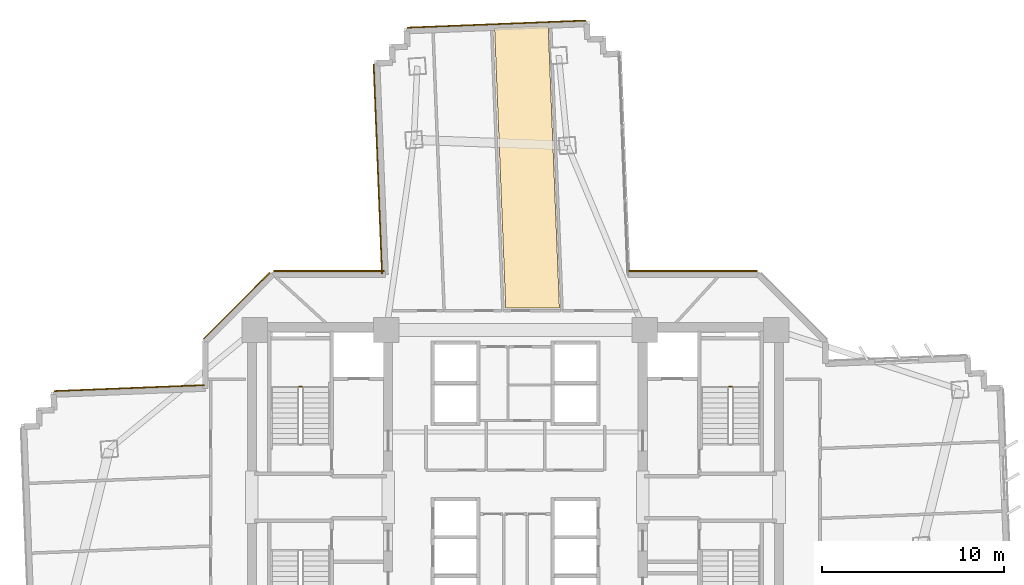
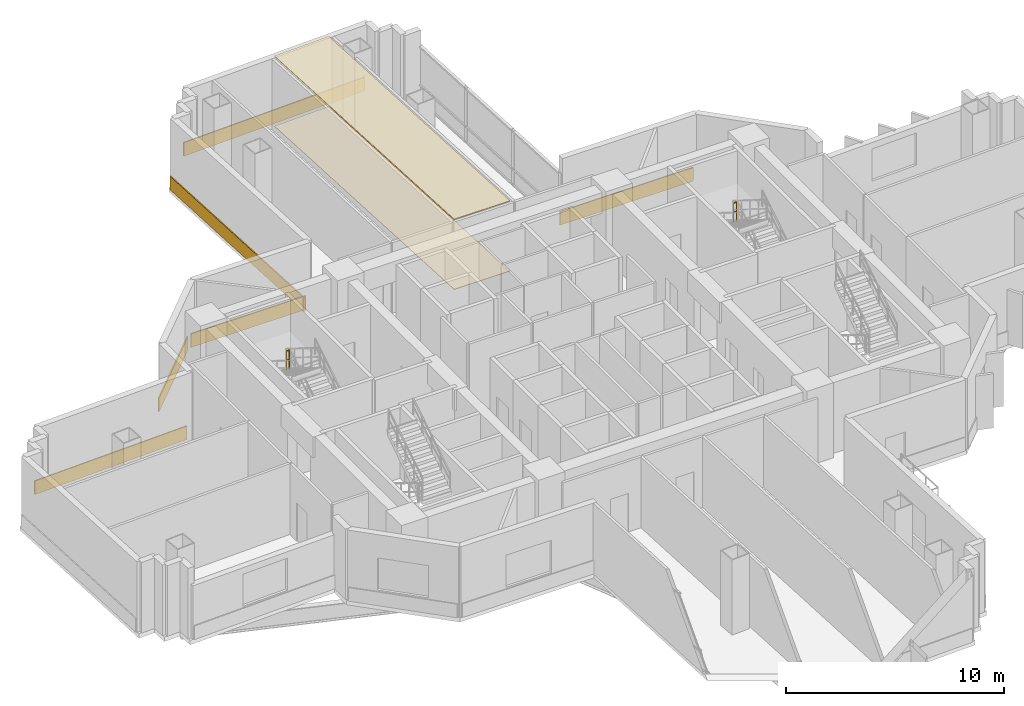
# One storey, part 15 of 16: 8 coverings, 2 railings.
"""IFC4 building model written with IfcOpenShell, lengths in metres."""

from ifc_helpers import new_model, si_unit, direction, frame, origin, origin_2d, place, context, subcontext, project, spatial, polyline, rectangle, outline, extrude, source, transform, mapped, material, layer, layer_set, type_object, element, save


model = new_model("IFC4")

# Units and contexts
model_context = context("Model", 3, precision=1e-05, world=origin(), true_north=direction((0.0, 1.0)))
body_context = subcontext(model_context, "Body", "Model", "MODEL_VIEW")
ifc_project = project(units=[si_unit("LENGTHUNIT", "METRE"), si_unit("AREAUNIT", "SQUARE_METRE"), si_unit("VOLUMEUNIT", "CUBIC_METRE"), si_unit("PLANEANGLEUNIT", "RADIAN"), si_unit("MASSUNIT", "GRAM", prefix="KILO")], contexts=[model_context])

# Site, building, storey
site_placement = place(None, origin())
site = spatial("IfcSite", under=ifc_project, at=site_placement, CompositionType="ELEMENT")
building_placement = place(site_placement, origin())
building = spatial("IfcBuilding", under=site, at=building_placement, Name="Zahravan Cultural Tower", CompositionType="ELEMENT")
storey_placement = place(building_placement, frame((0.0, 0.0, 54.300048828125)))
storey = spatial("IfcBuildingStorey", under=building, at=storey_placement, Name="L11", CompositionType="ELEMENT", Elevation=54.300048828125)

# Coverings
ifc_material_1 = material(Name="Acoustic mineral fibreboard")
ifc_layer_1 = layer(ifc_material_1, 0.0400390625)
ifc_layer_set_1 = layer_set([ifc_layer_1], Name="Acoustic mineral fibreboard")
covering_type_1 = type_object("IfcCoveringType", Name="COV-CEIL-AC20", PredefinedType="CEILING", material=ifc_layer_set_1)
covering_1_placement = place(storey_placement, frame((0.0, 0.0, 3.909912109375)))
element("IfcCovering", 1, at=covering_1_placement, inside=storey, type_object=covering_type_1, Name="L11 Acoustic Suspended Ceiling", PredefinedType="CEILING", context=body_context, shape_type="SweptSolid", body=[
    extrude(outline(polyline([(34.85205078125, 52.814697265625), (35.4658203125, 37.39990234375), (38.418212890625, 37.39990234375), (37.7998046875, 52.93212890625), (34.85205078125, 52.814697265625)])), origin(), (0.0, 0.0, 1.0), 0.0400390625),
])
ifc_material_2 = material(Name="Terrazzo flooring")
ifc_layer_2 = layer(ifc_material_2, 0.02490234375)
ifc_layer_set_2 = layer_set([ifc_layer_2], Name="Terrazzo flooring")
covering_type_2 = type_object("IfcCoveringType", Name="COV-FLR-TZ25", PredefinedType="FLOORING", material=ifc_layer_set_2)
covering_2_placement = place(storey_placement, origin())
element("IfcCovering", 2, at=covering_2_placement, inside=storey, type_object=covering_type_2, Name="L11 Polished Terrazzo Flooring", PredefinedType="FLOORING", context=body_context, shape_type="SweptSolid", body=[
    extrude(outline(polyline([(34.85205078125, 52.814697265625), (35.4658203125, 37.39990234375), (38.418212890625, 37.39990234375), (37.7998046875, 52.93212890625), (34.85205078125, 52.814697265625)])), origin(), (0.0, 0.0, 1.0), 0.02490234375),
])

# Railings
ifc_material_3 = material(Name="Steel ASTM A572 Grade 50", Category="steel")
railing_type = type_object("IfcRailingType", Name="RL-STAIR-GRD1150", PredefinedType="BALUSTRADE", material=ifc_material_3)
for number, where, name in (
    (3, (24.25, 33.080078125, 2.099853515625), "L11 ST-W1 stair guard 2"),
    (4, (47.89990234375, 33.080078125, 2.099853515625), "L11 ST-E1 stair guard 2"),
):
    element("IfcRailing", number, at=place(storey_placement, frame(where)), inside=storey, type_object=railing_type, Name=name, PredefinedType="BALUSTRADE", context=body_context, shape_type="SweptSolid", body=[
        extrude(rectangle(XDim=0.05, YDim=0.05, at=origin_2d()), frame((0.0, 0.0, 1.0751953125), z_axis=(-1.0, 0.0, 0.0), x_axis=(0.0, -1.0, 0.0)), (0.0, 0.0, 1.0), 0.14990234375),
        extrude(rectangle(XDim=0.032, YDim=0.032, at=origin_2d()), frame((0.0, 0.0, 0.572021484375), z_axis=(-1.0, 0.0, 0.0), x_axis=(0.0, -1.0, 0.0)), (0.0, 0.0, 1.0), 0.14990234375),
        extrude(rectangle(XDim=0.04, YDim=0.04, at=origin_2d()), origin(), (0.0, 0.0, 1.0), 1.10009765625),
        extrude(rectangle(XDim=0.04, YDim=0.04, at=origin_2d()), frame((-0.14990234375, 0.0, 0.0)), (0.0, 0.0, 1.0), 1.10009765625),
    ])

# Coverings
ifc_material_4 = material(Name="Terracotta ceramic cladding", Category="masonry")
ifc_layer_3 = layer(ifc_material_4, 0.06005859375)
ifc_layer_set_3 = layer_set([ifc_layer_3], Name="Terracotta ceramic cladding")
covering_type_3 = type_object("IfcCoveringType", Name="COV-CLAD-TC60", PredefinedType="CLADDING", material=ifc_layer_set_3)
shared_shape_1 = source(origin(), body_context, "Body", "SweptSolid", [
    extrude(rectangle(XDim=9.820068359375, YDim=0.06005859375, at=origin_2d()), origin(), (0.0, 0.0, 1.0), 0.760009765625),
])
covering_3_placement = place(storey_placement, frame((34.9638671875, 53.0244140625, 0.02001953125), z_axis=(0.0, 0.0, 1.0), x_axis=(0.999208342878, 0.039783005453, 0.0)))
element("IfcCovering", 5, at=covering_3_placement, inside=storey, type_object=covering_type_3, Name="L11 Terracotta Spandrel Cladding 47", PredefinedType="CLADDING", context=body_context, shape_type="MappedRepresentation", body=[
    mapped(shared_shape_1, transform((0.0, 0.0, 0.0), x_axis=(1.0, 0.0, 0.0), y_axis=(0.0, 1.0, 0.0), z_axis=(0.0, 0.0, 1.0), scale=1.0)),
])
shared_shape_2 = source(origin(), body_context, "Body", "SweptSolid", [
    extrude(rectangle(XDim=5.157958984375, YDim=0.06005859375, at=origin_2d()), origin(), (0.0, 0.0, 1.0), 0.760009765625),
])
covering_4_placement = place(storey_placement, frame((20.668212890625, 37.53173828125, 0.02001953125), z_axis=(0.0, 0.0, 1.0), x_axis=(0.707106781187, 0.707106781187, 0.0)))
element("IfcCovering", 6, at=covering_4_placement, inside=storey, type_object=covering_type_3, Name="L11 Terracotta Spandrel Cladding 40", PredefinedType="CLADDING", context=body_context, shape_type="MappedRepresentation", body=[
    mapped(shared_shape_2, transform((0.0, 0.0, 0.0), x_axis=(1.0, 0.0, 0.0), y_axis=(0.0, 1.0, 0.0), z_axis=(0.0, 0.0, 1.0), scale=1.0)),
])
shared_shape_3 = source(origin(), body_context, "Body", "SweptSolid", [
    extrude(rectangle(XDim=8.251708984375, YDim=0.06005859375, at=origin_2d()), origin(), (0.0, 0.0, 1.0), 0.760009765625),
])
covering_5_placement = place(storey_placement, frame((14.760009765625, 33.0048828125, 0.02001953125), z_axis=(0.0, 0.0, 1.0), x_axis=(0.999208342878, 0.039783005453, 0.0)))
element("IfcCovering", 7, at=covering_5_placement, inside=storey, type_object=covering_type_3, Name="L11 Terracotta Spandrel Cladding 38", PredefinedType="CLADDING", context=body_context, shape_type="MappedRepresentation", body=[
    mapped(shared_shape_3, transform((0.0, 0.0, 0.0), x_axis=(1.0, 0.0, 0.0), y_axis=(0.0, 1.0, 0.0), z_axis=(0.0, 0.0, 1.0), scale=1.0)),
])
shared_shape_4 = source(origin(), body_context, "Body", "SweptSolid", [
    extrude(rectangle(XDim=6.088623046875, YDim=0.06005859375, at=origin_2d()), origin(), (0.0, 0.0, 1.0), 0.760009765625),
])
covering_6_placement = place(storey_placement, frame((25.752197265625, 39.445068359375, 0.02001953125), z_axis=(0.0, 0.0, 1.0), x_axis=(1.0, 0.0, 0.0)))
element("IfcCovering", 8, at=covering_6_placement, inside=storey, type_object=covering_type_3, Name="L11 Terracotta Spandrel Cladding 41", PredefinedType="CLADDING", context=body_context, shape_type="MappedRepresentation", body=[
    mapped(shared_shape_4, transform((0.0, 0.0, 0.0), x_axis=(1.0, 0.0, 0.0), y_axis=(0.0, 1.0, 0.0), z_axis=(0.0, 0.0, 1.0), scale=1.0)),
])
shared_shape_5 = source(origin(), body_context, "Body", "SweptSolid", [
    extrude(rectangle(XDim=11.525146484375, YDim=0.06005859375, at=origin_2d()), origin(), (0.0, 0.0, 1.0), 0.760009765625),
])
covering_7_placement = place(storey_placement, frame((28.4306640625, 45.060546875, 0.02001953125), z_axis=(0.0, 0.0, 1.0), x_axis=(-0.039783005453, 0.999208342878, 0.0)))
element("IfcCovering", 9, at=covering_7_placement, inside=storey, type_object=covering_type_3, Name="L11 Terracotta Spandrel Cladding 42", PredefinedType="CLADDING", context=body_context, shape_type="MappedRepresentation", body=[
    mapped(shared_shape_5, transform((0.0, 0.0, 0.0), x_axis=(1.0, 0.0, 0.0), y_axis=(0.0, 1.0, 0.0), z_axis=(0.0, 0.0, 1.0), scale=1.0)),
])
shared_shape_6 = source(origin(), body_context, "Body", "SweptSolid", [
    extrude(rectangle(XDim=7.064697265625, YDim=0.06005859375, at=origin_2d()), origin(), (0.0, 0.0, 1.0), 0.760009765625),
])
covering_8_placement = place(storey_placement, frame((45.759521484375, 39.445068359375, 0.02001953125), z_axis=(0.0, 0.0, 1.0), x_axis=(1.0, 0.0, 0.0)))
element("IfcCovering", 10, at=covering_8_placement, inside=storey, type_object=covering_type_3, Name="L11 Terracotta Spandrel Cladding 52", PredefinedType="CLADDING", context=body_context, shape_type="MappedRepresentation", body=[
    mapped(shared_shape_6, transform((0.0, 0.0, 0.0), x_axis=(1.0, 0.0, 0.0), y_axis=(0.0, 1.0, 0.0), z_axis=(0.0, 0.0, 1.0), scale=1.0)),
])

save(model, "model.ifc")
